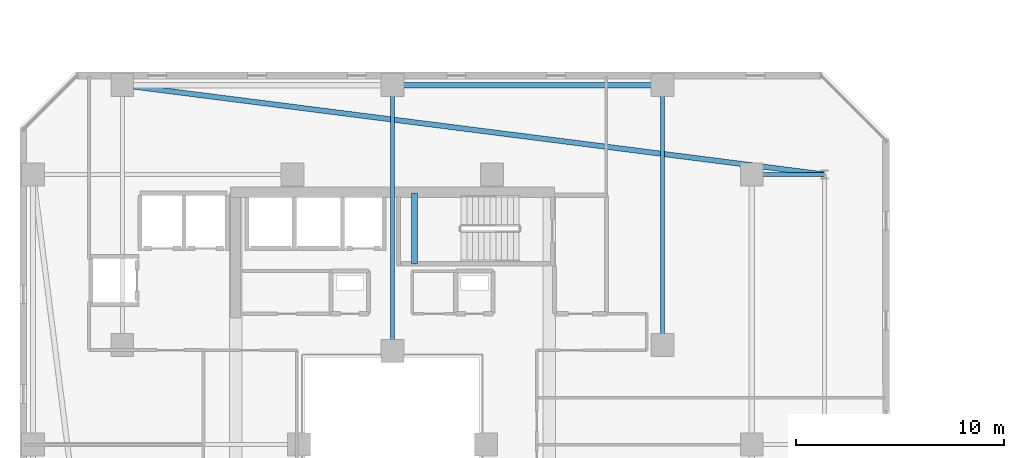
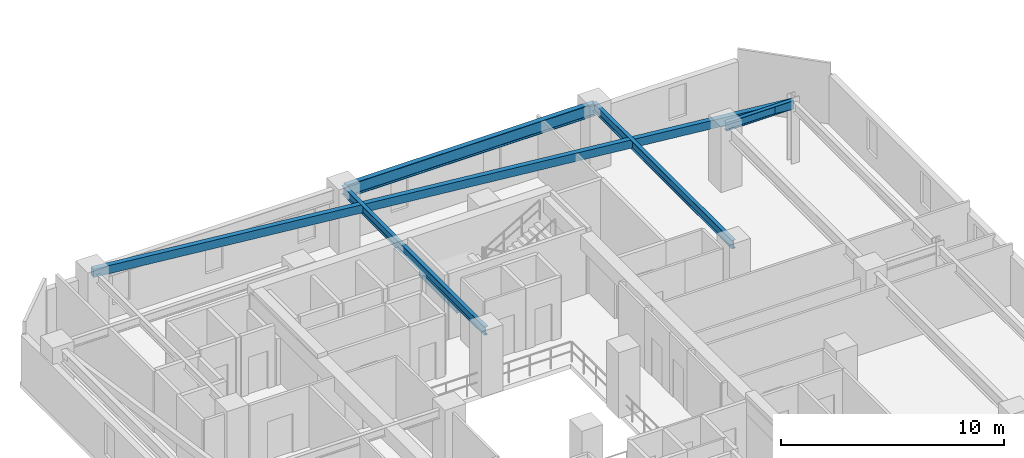
# One storey, part 9 of 33: 6 beams.
"""IFC4 building model written with IfcOpenShell, lengths in metres."""

from ifc_helpers import new_model, si_unit, direction, frame, origin, origin_2d, place, context, subcontext, project, spatial, rectangle, hollow_rectangle, i_section, extrude, material, material_profile, profile_set, type_object, element, save


model = new_model("IFC4")

# Units and contexts
model_context = context("Model", 3, precision=1e-05, world=origin(), true_north=direction((0.0, 1.0)))
body_context = subcontext(model_context, "Body", "Model", "MODEL_VIEW")
ifc_project = project(units=[si_unit("LENGTHUNIT", "METRE"), si_unit("AREAUNIT", "SQUARE_METRE"), si_unit("VOLUMEUNIT", "CUBIC_METRE"), si_unit("PLANEANGLEUNIT", "RADIAN"), si_unit("MASSUNIT", "GRAM", prefix="KILO")], contexts=[model_context])

# Site, building, storey
site_placement = place(None, origin())
site = spatial("IfcSite", under=ifc_project, at=site_placement, CompositionType="ELEMENT")
building_placement = place(site_placement, origin())
building = spatial("IfcBuilding", under=site, at=building_placement, Name="Thornwick Lancets Civic Towers", CompositionType="ELEMENT")
storey_placement = place(building_placement, frame((0.0, 0.0, 163.5)))
storey = spatial("IfcBuildingStorey", under=building, at=storey_placement, Name="L43", CompositionType="ELEMENT", Elevation=163.5)

# Beams
ifc_material_1 = material(Name="Steel S355JR", Category="steel")
ifc_material_profile_1 = material_profile(ifc_material_1, i_section(OverallWidth=0.255859375, OverallDepth=0.69287109375, WebThickness=0.014404296875, FlangeThickness=0.023681640625, FilletRadius=0.01513671875, at=origin_2d()), Name="UKB 686x254x170")
ifc_profile_set_1 = profile_set([ifc_material_profile_1], Name="Steel S355JR")
beam_type_1 = type_object("IfcBeamType", Name="BM_GIRD_686_170", PredefinedType="BEAM", material=ifc_profile_set_1)
beam_1_placement = place(storey_placement, frame((25.580078125, 44.300048828125, 3.013671875), z_axis=(1.0, 0.0, 0.0), x_axis=(0.0, 1.0, 0.0)))
element("IfcBeam", 1, at=beam_1_placement, inside=storey, type_object=beam_type_1, Name="BM-SPINE-L43-A-7-8", PredefinedType="BEAM", context=body_context, shape_type="SweptSolid", body=[
    extrude(i_section(OverallWidth=0.255859375, OverallDepth=0.69287109375, WebThickness=0.014404296875, FlangeThickness=0.023681640625, FilletRadius=0.01513671875, at=origin_2d()), origin(), (0.0, 0.0, 1.0), 12.919921875),
])
ifc_material_profile_2 = material_profile(ifc_material_1, i_section(OverallWidth=0.19287109375, OverallDepth=0.46728515625, WebThickness=0.011474609375, FlangeThickness=0.01953125, FilletRadius=0.01025390625, at=origin_2d()), Name="UKB 457x191x98")
ifc_profile_set_2 = profile_set([ifc_material_profile_2], Name="Steel S355JR")
beam_type_2 = type_object("IfcBeamType", Name="BM_JOIST_457_98", PredefinedType="JOIST", material=ifc_profile_set_2)
beam_2_placement = place(storey_placement, frame((42.800048828125, 40.0, 3.12646484375), z_axis=(1.0, 0.0, 0.0), x_axis=(0.0, 1.0, 0.0)))
element("IfcBeam", 2, at=beam_2_placement, inside=storey, type_object=beam_type_2, Name="BM-RAD-L43-A06", PredefinedType="JOIST", context=body_context, shape_type="SweptSolid", body=[
    extrude(i_section(OverallWidth=0.19287109375, OverallDepth=0.46728515625, WebThickness=0.011474609375, FlangeThickness=0.01953125, FilletRadius=0.01025390625, at=origin_2d()), origin(), (0.0, 0.0, 1.0), 3.5),
])
beam_3_placement = place(storey_placement, frame((25.5, 31.5, 3.12646484375), z_axis=(0.0, 1.0, 0.0), x_axis=(-1.0, 0.0, 0.0)))
element("IfcBeam", 3, at=beam_3_placement, inside=storey, type_object=beam_type_2, Name="BM-RADIN-L43-A08", PredefinedType="JOIST", context=body_context, shape_type="SweptSolid", body=[
    extrude(i_section(OverallWidth=0.19287109375, OverallDepth=0.46728515625, WebThickness=0.011474609375, FlangeThickness=0.01953125, FilletRadius=0.01025390625, at=origin_2d()), origin(), (0.0, 0.0, 1.0), 12.800048828125),
])
beam_4_placement = place(storey_placement, frame((38.5, 31.800048828125, 3.12646484375), z_axis=(0.0, 1.0, 0.0), x_axis=(-1.0, 0.0, 0.0)))
element("IfcBeam", 4, at=beam_4_placement, inside=storey, type_object=beam_type_2, Name="BM-RADIN-L43-A09", PredefinedType="JOIST", context=body_context, shape_type="SweptSolid", body=[
    extrude(i_section(OverallWidth=0.19287109375, OverallDepth=0.46728515625, WebThickness=0.011474609375, FlangeThickness=0.01953125, FilletRadius=0.01025390625, at=origin_2d()), origin(), (0.0, 0.0, 1.0), 12.5),
])
ifc_material_profile_3 = material_profile(ifc_material_1, hollow_rectangle(XDim=0.25, YDim=0.449951171875, WallThickness=0.01611328125, at=origin_2d()), Name="RHS 450x250x16")
ifc_profile_set_3 = profile_set([ifc_material_profile_3], Name="Steel S355JR")
beam_type_3 = type_object("IfcBeamType", Name="BM_RING_RHS450", PredefinedType="BEAM", material=ifc_profile_set_3)
beam_5_placement = place(storey_placement, frame((46.300048828125, 40.0, 3.135009765625), z_axis=(-0.992004437051, 0.126202998662, 0.0), x_axis=(-0.126202998662, -0.992004437051, 0.0)))
element("IfcBeam", 5, at=beam_5_placement, inside=storey, type_object=beam_type_3, Name="BM-CHAMF-L43-A-C1", PredefinedType="BEAM", context=body_context, shape_type="SweptSolid", body=[
    extrude(hollow_rectangle(XDim=0.25, YDim=0.449951171875, WallThickness=0.01611328125, at=origin_2d()), origin(), (0.0, 0.0, 1.0), 34.072509765625),
])
ifc_material_2 = material(Name="Concrete C40/50", Category="concrete")
ifc_material_profile_4 = material_profile(ifc_material_2, rectangle(XDim=0.300048828125, YDim=0.35009765625, at=origin_2d()), Name="RC 300x350")
ifc_profile_set_4 = profile_set([ifc_material_profile_4], Name="Concrete C40/50")
beam_type_4 = type_object("IfcBeamType", Name="BM_STAIR_LDG", PredefinedType="BEAM", material=ifc_profile_set_4)
beam_6_placement = place(storey_placement, frame((26.56494140625, 39.10009765625, 1.3779296875), z_axis=(0.0, -1.0, 0.0), x_axis=(1.0, 0.0, 0.0)))
element("IfcBeam", 6, at=beam_6_placement, inside=storey, type_object=beam_type_4, Name="L43 ST-A2 Landing Support Beam 1", PredefinedType="BEAM", context=body_context, shape_type="SweptSolid", body=[
    extrude(rectangle(XDim=0.300048828125, YDim=0.35009765625, at=origin_2d()), origin(), (0.0, 0.0, 1.0), 3.400146484375),
])

save(model, "model.ifc")
